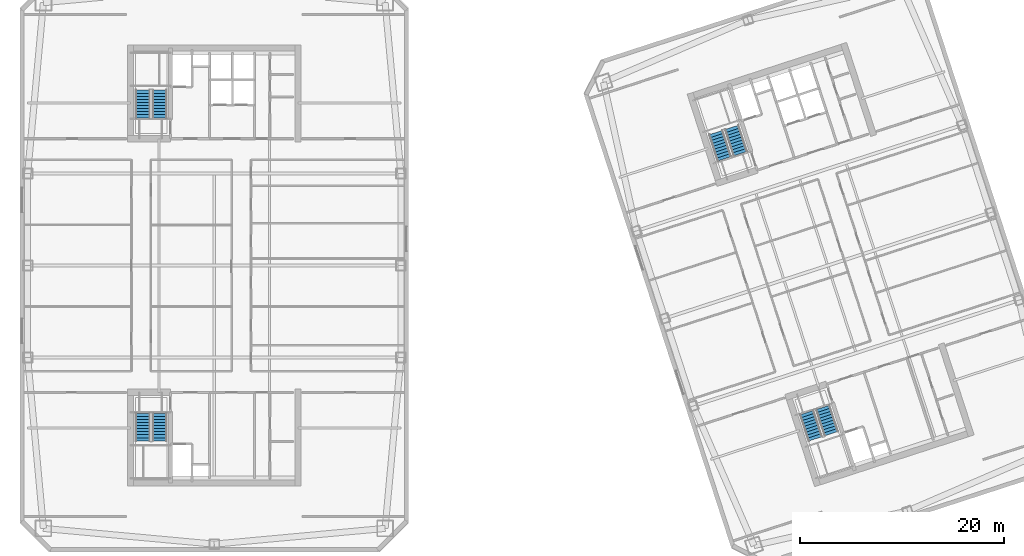
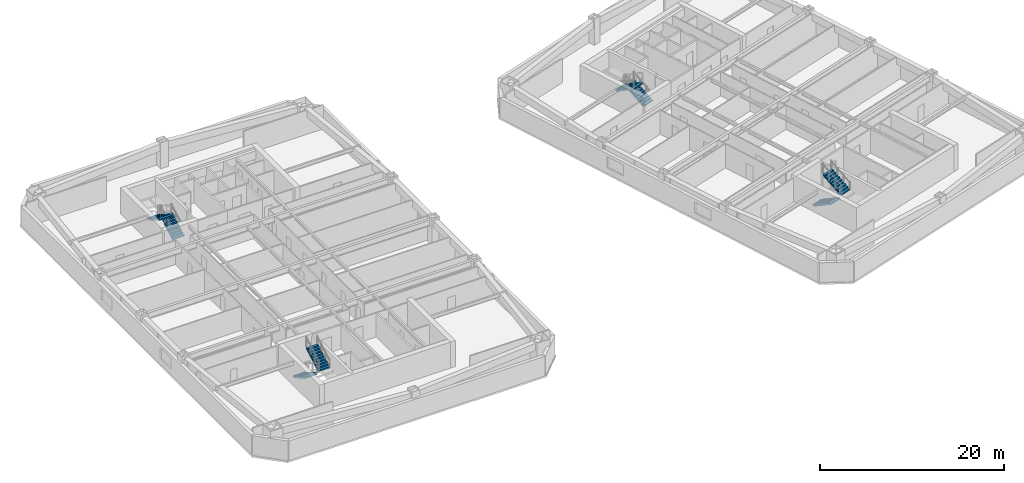
# One storey, part 9 of 11: 8 stair flights, 4 elements without a shape of their own.
"""IFC4 building model written with IfcOpenShell, lengths in metres."""

from ifc_helpers import new_model, si_unit, direction, frame, origin, place, context, subcontext, project, spatial, polyline, outline, extrude, material, type_object, element, aggregate, save


model = new_model("IFC4")

# Units and contexts
model_context = context("Model", 3, precision=1e-05, world=origin(), true_north=direction((0.0, 1.0)))
body_context = subcontext(model_context, "Body", "Model", "MODEL_VIEW")
ifc_project = project(units=[si_unit("LENGTHUNIT", "METRE"), si_unit("AREAUNIT", "SQUARE_METRE"), si_unit("VOLUMEUNIT", "CUBIC_METRE"), si_unit("PLANEANGLEUNIT", "RADIAN"), si_unit("MASSUNIT", "GRAM", prefix="KILO")], contexts=[model_context])

# Site, building, storey
site_placement = place(None, origin())
site = spatial("IfcSite", under=ifc_project, at=site_placement, CompositionType="ELEMENT")
building_placement = place(site_placement, origin())
building = spatial("IfcBuilding", under=site, at=building_placement, Name="Qiaolan Cultural Towers", CompositionType="ELEMENT")
storey_placement = place(building_placement, frame((0.0, 0.0, 117.300048828125)))
storey = spatial("IfcBuildingStorey", under=building, at=storey_placement, Name="L30", CompositionType="ELEMENT", Elevation=117.300048828125)

# Stair, stair flights
ifc_material_1 = material(Name="Concrete C45", Category="concrete")
stair_type = type_object("IfcStairType", Name="STR-CORE-1500", PredefinedType="HALF_TURN_STAIR", material=ifc_material_1)
stair_1_placement = place(storey_placement, origin())
stair_1 = element("IfcStair", 1, at=stair_1_placement, inside=storey, type_object=stair_type, Name="L30 Smokeproof Exit Stair ST-W1", PredefinedType="HALF_TURN_STAIR")
ifc_material_2 = material(Name="Concrete C45", Category="concrete")
stair_flight_type = type_object("IfcStairFlightType", Name="STR-CORE-1500-FL", PredefinedType="STRAIGHT", material=ifc_material_2)
stair_flight_1_placement = place(storey_placement, frame((23.02001953125, 19.550048828125, 0.0), z_axis=(0.0, 0.0, 1.0), x_axis=(0.0, -1.0, 0.0)))
stair_flight_1 = element("IfcStairFlight", 2, at=stair_flight_1_placement, type_object=stair_flight_type, Name="ST-W1 flight 1", NumberOfRisers=10, NumberOfTreads=9, PredefinedType="STRAIGHT", RiserHeight=0.1725, TreadLength=0.3, context=body_context, shape_type="SweptSolid", body=[
    extrude(outline(polyline([(0.0, 0.0), (0.0, 0.172607421875), (0.300048828125, 0.172607421875), (0.300048828125, 0.344970703125), (0.60009765625, 0.344970703125), (0.60009765625, 0.517578125), (0.89990234375, 0.517578125), (0.89990234375, 0.68994140625), (1.199951171875, 0.68994140625), (1.199951171875, 0.862548828125), (1.5, 0.862548828125), (1.5, 1.034912109375), (1.800048828125, 1.034912109375), (1.800048828125, 1.20751953125), (2.10009765625, 1.20751953125), (2.10009765625, 1.3798828125), (2.39990234375, 1.3798828125), (2.39990234375, 1.552490234375), (2.699951171875, 1.552490234375), (2.699951171875, 1.72509765625), (2.699951171875, 1.379638671875), (0.30078125, 0.0), (0.0, 0.0)])), frame((0.0, 0.719970703125, 0.0), z_axis=(0.0, -1.0, 0.0), x_axis=(1.0, 0.0, 0.0)), (0.0, 0.0, 1.0), 1.43994140625),
])
stair_flight_2_placement = place(storey_placement, frame((24.659912109375, 16.85009765625, 1.724853515625), z_axis=(0.0, 0.0, 1.0), x_axis=(0.0, 1.0, 0.0)))
stair_flight_2 = element("IfcStairFlight", 3, at=stair_flight_2_placement, type_object=stair_flight_type, Name="ST-W1 flight 2", NumberOfRisers=10, NumberOfTreads=9, PredefinedType="STRAIGHT", RiserHeight=0.1725, TreadLength=0.3, context=body_context, shape_type="SweptSolid", body=[
    extrude(outline(polyline([(0.0, 0.0), (0.0, 0.172607421875), (0.300048828125, 0.172607421875), (0.300048828125, 0.344970703125), (0.60009765625, 0.344970703125), (0.60009765625, 0.517578125), (0.89990234375, 0.517578125), (0.89990234375, 0.68994140625), (1.199951171875, 0.68994140625), (1.199951171875, 0.862548828125), (1.5, 0.862548828125), (1.5, 1.034912109375), (1.800048828125, 1.034912109375), (1.800048828125, 1.20751953125), (2.10009765625, 1.20751953125), (2.10009765625, 1.3798828125), (2.39990234375, 1.3798828125), (2.39990234375, 1.552490234375), (2.699951171875, 1.552490234375), (2.699951171875, 1.72509765625), (2.699951171875, 1.379638671875), (0.30078125, 0.0), (0.0, 0.0)])), frame((0.0, 0.719970703125, 0.0), z_axis=(0.0, -1.0, 0.0), x_axis=(1.0, 0.0, 0.0)), (0.0, 0.0, 1.0), 1.43994140625),
])
aggregate(stair_1, [stair_flight_1, stair_flight_2])

stair_2_placement = place(storey_placement, origin())
stair_2 = element("IfcStair", 4, at=stair_2_placement, inside=storey, type_object=stair_type, Name="L30 Smokeproof Exit Stair ST-W2", PredefinedType="HALF_TURN_STAIR")
stair_flight_3_placement = place(storey_placement, frame((24.659912109375, 48.449951171875, 0.0), z_axis=(0.0, 0.0, 1.0), x_axis=(0.0, 1.0, 0.0)))
stair_flight_3 = element("IfcStairFlight", 5, at=stair_flight_3_placement, type_object=stair_flight_type, Name="ST-W2 flight 1", NumberOfRisers=10, NumberOfTreads=9, PredefinedType="STRAIGHT", RiserHeight=0.1725, TreadLength=0.3, context=body_context, shape_type="SweptSolid", body=[
    extrude(outline(polyline([(0.0, 0.0), (0.0, 0.172607421875), (0.300048828125, 0.172607421875), (0.300048828125, 0.344970703125), (0.60009765625, 0.344970703125), (0.60009765625, 0.517578125), (0.89990234375, 0.517578125), (0.89990234375, 0.68994140625), (1.199951171875, 0.68994140625), (1.199951171875, 0.862548828125), (1.5, 0.862548828125), (1.5, 1.034912109375), (1.800048828125, 1.034912109375), (1.800048828125, 1.20751953125), (2.10009765625, 1.20751953125), (2.10009765625, 1.3798828125), (2.39990234375, 1.3798828125), (2.39990234375, 1.552490234375), (2.699951171875, 1.552490234375), (2.699951171875, 1.72509765625), (2.699951171875, 1.379638671875), (0.30078125, 0.0), (0.0, 0.0)])), frame((0.0, 0.719970703125, 0.0), z_axis=(0.0, -1.0, 0.0), x_axis=(1.0, 0.0, 0.0)), (0.0, 0.0, 1.0), 1.43994140625),
])
stair_flight_4_placement = place(storey_placement, frame((23.02001953125, 51.14990234375, 1.724853515625), z_axis=(0.0, 0.0, 1.0), x_axis=(0.0, -1.0, 0.0)))
stair_flight_4 = element("IfcStairFlight", 6, at=stair_flight_4_placement, type_object=stair_flight_type, Name="ST-W2 flight 2", NumberOfRisers=10, NumberOfTreads=9, PredefinedType="STRAIGHT", RiserHeight=0.1725, TreadLength=0.3, context=body_context, shape_type="SweptSolid", body=[
    extrude(outline(polyline([(0.0, 0.0), (0.0, 0.172607421875), (0.300048828125, 0.172607421875), (0.300048828125, 0.344970703125), (0.60009765625, 0.344970703125), (0.60009765625, 0.517578125), (0.89990234375, 0.517578125), (0.89990234375, 0.68994140625), (1.199951171875, 0.68994140625), (1.199951171875, 0.862548828125), (1.5, 0.862548828125), (1.5, 1.034912109375), (1.800048828125, 1.034912109375), (1.800048828125, 1.20751953125), (2.10009765625, 1.20751953125), (2.10009765625, 1.3798828125), (2.39990234375, 1.3798828125), (2.39990234375, 1.552490234375), (2.699951171875, 1.552490234375), (2.699951171875, 1.72509765625), (2.699951171875, 1.379638671875), (0.30078125, 0.0), (0.0, 0.0)])), frame((0.0, 0.719970703125, 0.0), z_axis=(0.0, -1.0, 0.0), x_axis=(1.0, 0.0, 0.0)), (0.0, 0.0, 1.0), 1.43994140625),
])
aggregate(stair_2, [stair_flight_3, stair_flight_4])

stair_3_placement = place(storey_placement, origin())
stair_3 = element("IfcStair", 7, at=stair_3_placement, inside=storey, type_object=stair_type, Name="L30 Smokeproof Exit Stair ST-E1", PredefinedType="HALF_TURN_STAIR")
stair_flight_5_placement = place(storey_placement, frame((87.96484375, 19.6171875, 0.0), z_axis=(0.0, 0.0, 1.0), x_axis=(0.309016994375, -0.951056516295, 0.0)))
stair_flight_5 = element("IfcStairFlight", 8, at=stair_flight_5_placement, type_object=stair_flight_type, Name="ST-E1 flight 1", NumberOfRisers=10, NumberOfTreads=9, PredefinedType="STRAIGHT", RiserHeight=0.1725, TreadLength=0.3, context=body_context, shape_type="SweptSolid", body=[
    extrude(outline(polyline([(0.0, 0.0), (0.0, 0.172607421875), (0.300048828125, 0.172607421875), (0.300048828125, 0.344970703125), (0.60009765625, 0.344970703125), (0.60009765625, 0.517578125), (0.89990234375, 0.517578125), (0.89990234375, 0.68994140625), (1.199951171875, 0.68994140625), (1.199951171875, 0.862548828125), (1.5, 0.862548828125), (1.5, 1.034912109375), (1.800048828125, 1.034912109375), (1.800048828125, 1.20751953125), (2.10009765625, 1.20751953125), (2.10009765625, 1.3798828125), (2.39990234375, 1.3798828125), (2.39990234375, 1.552490234375), (2.699951171875, 1.552490234375), (2.699951171875, 1.72509765625), (2.699951171875, 1.379638671875), (0.30078125, 0.0), (0.0, 0.0)])), frame((0.0, 0.719970703125, 0.0), z_axis=(0.0, -1.0, 0.0), x_axis=(1.0, 0.0, 0.0)), (0.0, 0.0, 1.0), 1.43994140625),
])
stair_flight_6_placement = place(storey_placement, frame((90.359130859375, 17.55615234375, 1.724853515625), z_axis=(0.0, 0.0, 1.0), x_axis=(-0.309016994375, 0.951056516295, 0.0)))
stair_flight_6 = element("IfcStairFlight", 9, at=stair_flight_6_placement, type_object=stair_flight_type, Name="ST-E1 flight 2", NumberOfRisers=10, NumberOfTreads=9, PredefinedType="STRAIGHT", RiserHeight=0.1725, TreadLength=0.3, context=body_context, shape_type="SweptSolid", body=[
    extrude(outline(polyline([(0.0, 0.0), (0.0, 0.172607421875), (0.300048828125, 0.172607421875), (0.300048828125, 0.344970703125), (0.60009765625, 0.344970703125), (0.60009765625, 0.517578125), (0.89990234375, 0.517578125), (0.89990234375, 0.68994140625), (1.199951171875, 0.68994140625), (1.199951171875, 0.862548828125), (1.5, 0.862548828125), (1.5, 1.034912109375), (1.800048828125, 1.034912109375), (1.800048828125, 1.20751953125), (2.10009765625, 1.20751953125), (2.10009765625, 1.3798828125), (2.39990234375, 1.3798828125), (2.39990234375, 1.552490234375), (2.699951171875, 1.552490234375), (2.699951171875, 1.72509765625), (2.699951171875, 1.379638671875), (0.30078125, 0.0), (0.0, 0.0)])), frame((0.0, 0.719970703125, 0.0), z_axis=(0.0, -1.0, 0.0), x_axis=(1.0, 0.0, 0.0)), (0.0, 0.0, 1.0), 1.43994140625),
])
aggregate(stair_3, [stair_flight_5, stair_flight_6])

stair_4_placement = place(storey_placement, origin())
stair_4 = element("IfcStair", 10, at=stair_4_placement, inside=storey, type_object=stair_type, Name="L30 Smokeproof Exit Stair ST-E2", PredefinedType="HALF_TURN_STAIR")
stair_flight_7_placement = place(storey_placement, frame((81.459228515625, 44.946533203125, 0.0), z_axis=(0.0, 0.0, 1.0), x_axis=(-0.309016994375, 0.951056516295, 0.0)))
stair_flight_7 = element("IfcStairFlight", 11, at=stair_flight_7_placement, type_object=stair_flight_type, Name="ST-E2 flight 1", NumberOfRisers=10, NumberOfTreads=9, PredefinedType="STRAIGHT", RiserHeight=0.1725, TreadLength=0.3, context=body_context, shape_type="SweptSolid", body=[
    extrude(outline(polyline([(0.0, 0.0), (0.0, 0.172607421875), (0.300048828125, 0.172607421875), (0.300048828125, 0.344970703125), (0.60009765625, 0.344970703125), (0.60009765625, 0.517578125), (0.89990234375, 0.517578125), (0.89990234375, 0.68994140625), (1.199951171875, 0.68994140625), (1.199951171875, 0.862548828125), (1.5, 0.862548828125), (1.5, 1.034912109375), (1.800048828125, 1.034912109375), (1.800048828125, 1.20751953125), (2.10009765625, 1.20751953125), (2.10009765625, 1.3798828125), (2.39990234375, 1.3798828125), (2.39990234375, 1.552490234375), (2.699951171875, 1.552490234375), (2.699951171875, 1.72509765625), (2.699951171875, 1.379638671875), (0.30078125, 0.0), (0.0, 0.0)])), frame((0.0, 0.719970703125, 0.0), z_axis=(0.0, -1.0, 0.0), x_axis=(1.0, 0.0, 0.0)), (0.0, 0.0, 1.0), 1.43994140625),
])
stair_flight_8_placement = place(storey_placement, frame((79.065185546875, 47.007568359375, 1.724853515625), z_axis=(0.0, 0.0, 1.0), x_axis=(0.309016994375, -0.951056516295, 0.0)))
stair_flight_8 = element("IfcStairFlight", 12, at=stair_flight_8_placement, type_object=stair_flight_type, Name="ST-E2 flight 2", NumberOfRisers=10, NumberOfTreads=9, PredefinedType="STRAIGHT", RiserHeight=0.1725, TreadLength=0.3, context=body_context, shape_type="SweptSolid", body=[
    extrude(outline(polyline([(0.0, 0.0), (0.0, 0.172607421875), (0.300048828125, 0.172607421875), (0.300048828125, 0.344970703125), (0.60009765625, 0.344970703125), (0.60009765625, 0.517578125), (0.89990234375, 0.517578125), (0.89990234375, 0.68994140625), (1.199951171875, 0.68994140625), (1.199951171875, 0.862548828125), (1.5, 0.862548828125), (1.5, 1.034912109375), (1.800048828125, 1.034912109375), (1.800048828125, 1.20751953125), (2.10009765625, 1.20751953125), (2.10009765625, 1.3798828125), (2.39990234375, 1.3798828125), (2.39990234375, 1.552490234375), (2.699951171875, 1.552490234375), (2.699951171875, 1.72509765625), (2.699951171875, 1.379638671875), (0.30078125, 0.0), (0.0, 0.0)])), frame((0.0, 0.719970703125, 0.0), z_axis=(0.0, -1.0, 0.0), x_axis=(1.0, 0.0, 0.0)), (0.0, 0.0, 1.0), 1.43994140625),
])
aggregate(stair_4, [stair_flight_7, stair_flight_8])

save(model, "model.ifc")
